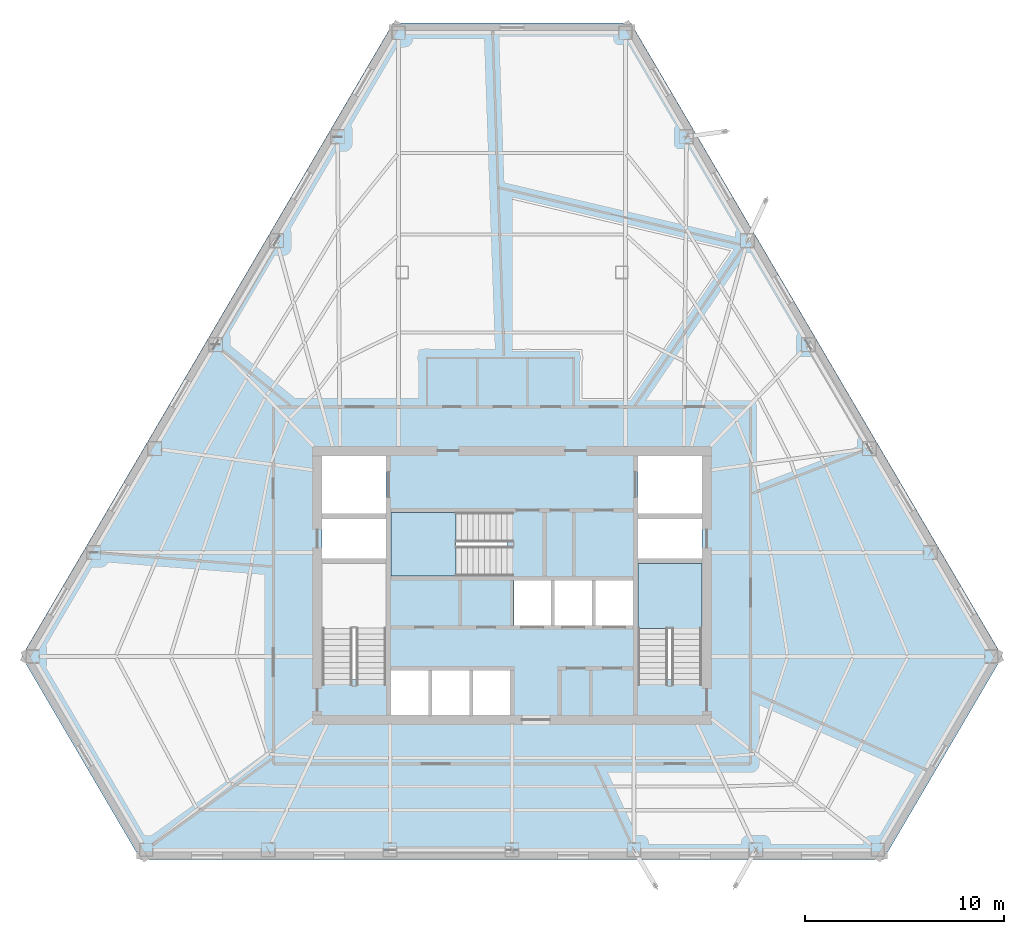
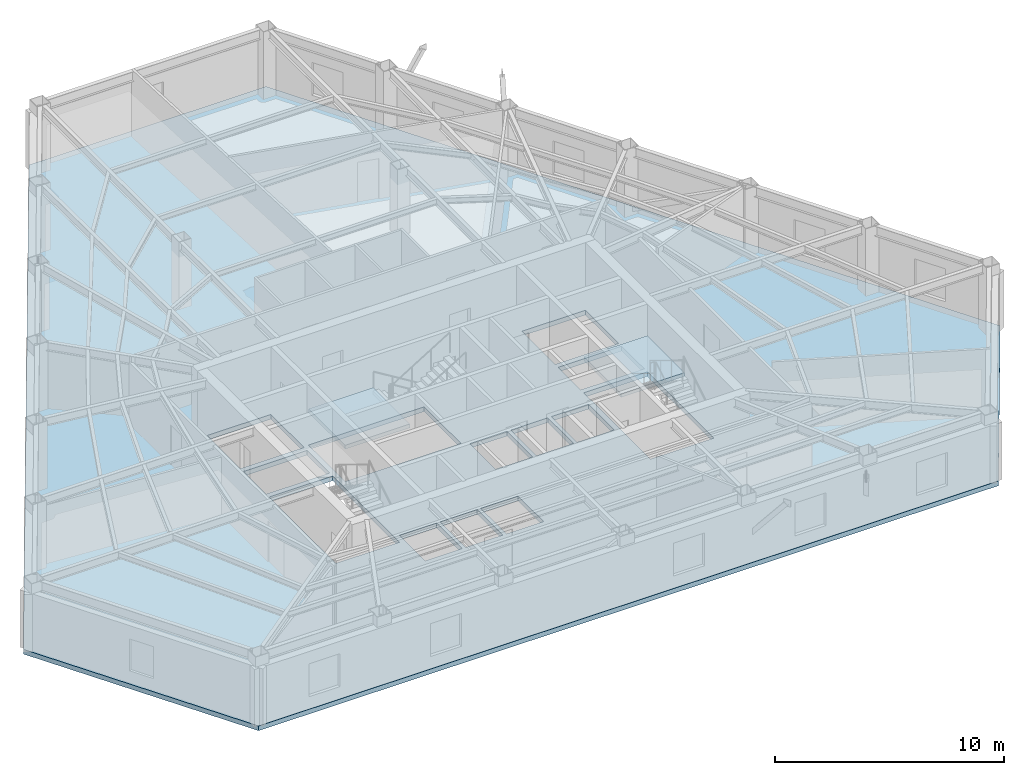
# One storey, part 3 of 13: 3 slabs, 2 elements without a shape of their own.
"""IFC4 building model written with IfcOpenShell, lengths in metres."""

from ifc_helpers import new_model, si_unit, direction, frame, origin, place, context, subcontext, project, spatial, polyline, outline, extrude, material, layer, layer_set, type_object, element, aggregate, save


model = new_model("IFC4")

# Units and contexts
model_context = context("Model", 3, precision=1e-05, world=origin(), true_north=direction((0.0, 1.0)))
body_context = subcontext(model_context, "Body", "Model", "MODEL_VIEW")
ifc_project = project(units=[si_unit("LENGTHUNIT", "METRE"), si_unit("AREAUNIT", "SQUARE_METRE"), si_unit("VOLUMEUNIT", "CUBIC_METRE"), si_unit("PLANEANGLEUNIT", "RADIAN"), si_unit("MASSUNIT", "GRAM", prefix="KILO")], contexts=[model_context])

# Site, building, storey
site_placement = place(None, origin())
site = spatial("IfcSite", under=ifc_project, at=site_placement, CompositionType="ELEMENT")
building_placement = place(site_placement, origin())
building = spatial("IfcBuilding", under=site, at=building_placement, Name="Kavelnor Concourse Tower", CompositionType="ELEMENT")
storey_placement = place(building_placement, frame((0.0, 0.0, 131.699951171875)))
storey = spatial("IfcBuildingStorey", under=building, at=storey_placement, Name="L33", CompositionType="ELEMENT", Elevation=131.699951171875)

# Stair, slab
ifc_material = material(Name="Concrete C40/50", Category="concrete")
stair_type = type_object("IfcStairType", Name="STR-CORE-1500", PredefinedType="HALF_TURN_STAIR", material=ifc_material)
stair_1_placement = place(storey_placement, origin())
stair_1 = element("IfcStair", 1, at=stair_1_placement, inside=storey, type_object=stair_type, Name="L33 ST2", PredefinedType="HALF_TURN_STAIR")
ifc_layer_1 = layer(ifc_material, 0.199951171875, Name="Concrete C40/50")
ifc_layer_set_1 = layer_set([ifc_layer_1], Name="Concrete C40/50")
slab_type_1 = type_object("IfcSlabType", Name="SLB-LANDING-200", PredefinedType="LANDING", material=ifc_layer_set_1)
slab_1_placement = place(storey_placement, frame((0.0, 0.0, 1.72509765625)))
slab_1 = element("IfcSlab", 2, at=slab_1_placement, type_object=slab_type_1, Name="ST2 landing 1", PredefinedType="LANDING", context=body_context, shape_type="SweptSolid", body=[
    extrude(outline(polyline([(47.52001953125, 13.949951171875), (47.52001953125, 17.199951171875), (44.320068359375, 17.199951171875), (44.320068359375, 13.949951171875), (47.52001953125, 13.949951171875)])), origin(), (0.0, 0.0, 1.0), 0.199951171875),
])
aggregate(stair_1, [slab_1])

stair_2_placement = place(storey_placement, origin())
stair_2 = element("IfcStair", 3, at=stair_2_placement, inside=storey, type_object=stair_type, Name="L33 ST3", PredefinedType="HALF_TURN_STAIR")
slab_2_placement = place(storey_placement, frame((0.0, 0.0, 1.72509765625)))
slab_2 = element("IfcSlab", 4, at=slab_2_placement, type_object=slab_type_1, Name="ST3 landing 1", PredefinedType="LANDING", context=body_context, shape_type="SweptSolid", body=[
    extrude(outline(polyline([(35.18994140625, 19.760009765625), (31.93994140625, 19.760009765625), (31.93994140625, 16.56005859375), (35.18994140625, 16.56005859375), (35.18994140625, 19.760009765625)])), origin(), (0.0, 0.0, 1.0), 0.199951171875),
])
aggregate(stair_2, [slab_2])

# Slab
ifc_layer_2 = layer(ifc_material, 0.25, Name="Concrete C40/50")
ifc_layer_set_2 = layer_set([ifc_layer_2], Name="Concrete C40/50")
slab_type_2 = type_object("IfcSlabType", Name="SLB-OFFICE-250", PredefinedType="FLOOR", material=ifc_layer_set_2)
slab_3_placement = place(storey_placement, frame((0.0, 0.0, -0.25)))
element("IfcSlab", 5, at=slab_3_placement, inside=storey, type_object=slab_type_2, Name="L33 Composite Structural Floor Slab", PredefinedType="FLOOR", context=body_context, shape_type="SweptSolid", body=[
    extrude(outline(polyline([(43.968994140625, 44.297607421875), (32.031005859375, 44.297607421875), (13.40478515625, 12.533203125), (19.373779296875, 2.353759765625), (56.626220703125, 2.353759765625), (62.59521484375, 12.533203125), (43.968994140625, 44.297607421875)]), holes=[polyline([(28.47998046875, 11.3798828125), (31.679931640625, 11.3798828125), (31.679931640625, 17.199951171875), (28.47998046875, 17.199951171875), (28.47998046875, 11.3798828125)]), polyline([(44.320068359375, 11.3798828125), (47.52001953125, 11.3798828125), (47.52001953125, 17.199951171875), (44.320068359375, 17.199951171875), (44.320068359375, 11.3798828125)]), polyline([(31.93994140625, 16.56005859375), (37.760009765625, 16.56005859375), (37.760009765625, 19.760009765625), (31.93994140625, 19.760009765625), (31.93994140625, 16.56005859375)]), polyline([(28.47998046875, 19.699951171875), (31.679931640625, 19.699951171875), (31.679931640625, 22.60009765625), (28.47998046875, 22.60009765625), (28.47998046875, 19.699951171875)]), polyline([(44.320068359375, 19.699951171875), (47.52001953125, 19.699951171875), (47.52001953125, 22.60009765625), (44.320068359375, 22.60009765625), (44.320068359375, 19.699951171875)]), polyline([(38.090087890625, 14.10009765625), (39.9599609375, 14.10009765625), (39.9599609375, 16.340087890625), (38.090087890625, 16.340087890625), (38.090087890625, 14.10009765625)]), polyline([(40.139892578125, 14.10009765625), (42.010009765625, 14.10009765625), (42.010009765625, 16.340087890625), (40.139892578125, 16.340087890625), (40.139892578125, 14.10009765625)]), polyline([(42.18994140625, 14.10009765625), (44.06005859375, 14.10009765625), (44.06005859375, 16.340087890625), (42.18994140625, 16.340087890625), (42.18994140625, 14.10009765625)]), polyline([(31.93994140625, 9.60009765625), (33.81005859375, 9.60009765625), (33.81005859375, 11.840087890625), (31.93994140625, 11.840087890625), (31.93994140625, 9.60009765625)]), polyline([(33.989990234375, 9.60009765625), (35.860107421875, 9.60009765625), (35.860107421875, 11.840087890625), (33.989990234375, 11.840087890625), (33.989990234375, 9.60009765625)]), polyline([(36.0400390625, 9.60009765625), (37.909912109375, 9.60009765625), (37.909912109375, 11.840087890625), (36.0400390625, 11.840087890625), (36.0400390625, 9.60009765625)]), polyline([(28.47998046875, 17.4599609375), (31.679931640625, 17.4599609375), (31.679931640625, 19.43994140625), (28.47998046875, 19.43994140625), (28.47998046875, 17.4599609375)]), polyline([(44.320068359375, 17.4599609375), (47.52001953125, 17.4599609375), (47.52001953125, 19.43994140625), (44.320068359375, 19.43994140625), (44.320068359375, 17.4599609375)])]), origin(), (0.0, 0.0, 1.0), 0.25),
])

save(model, "model.ifc")
